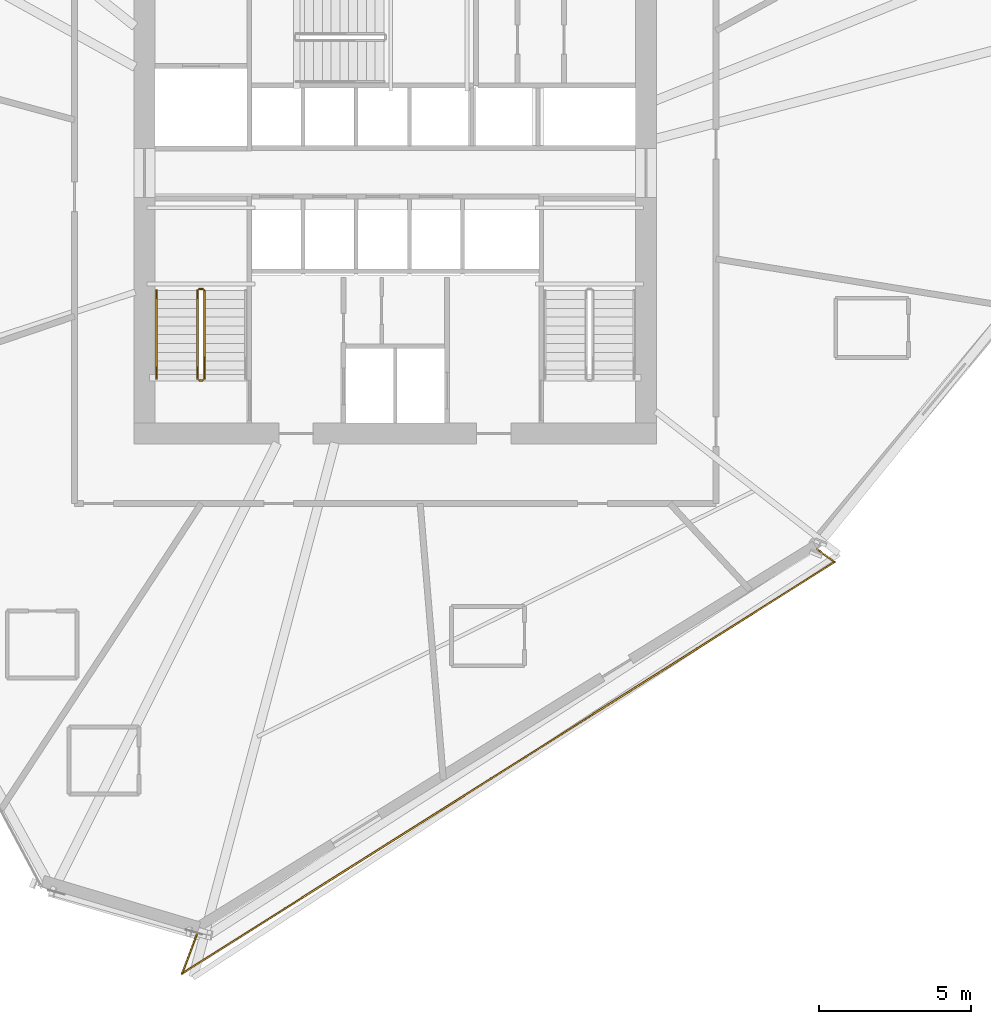
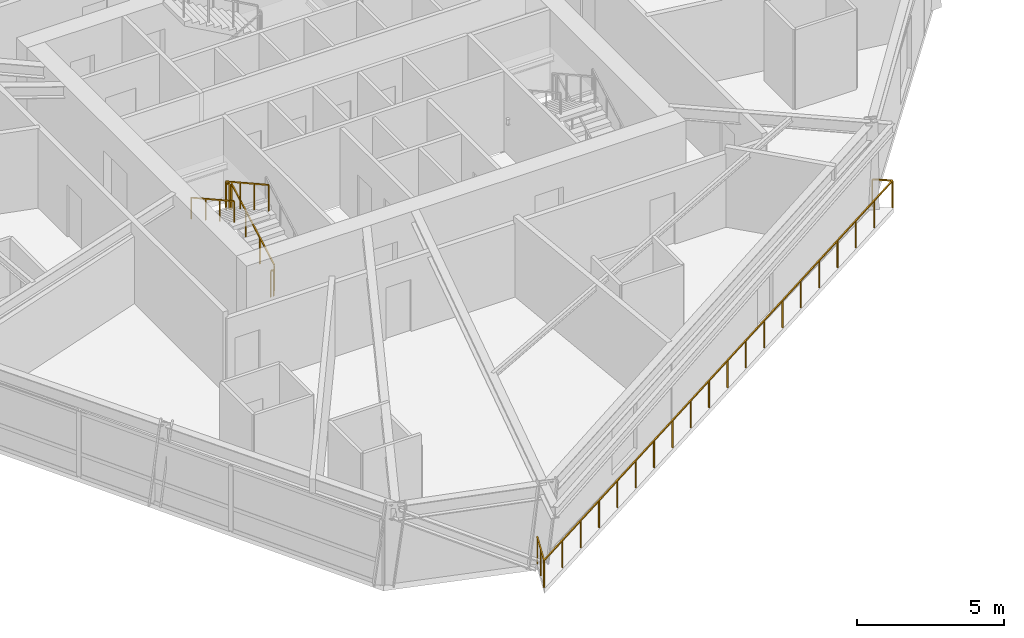
# One storey, part 18 of 21: 6 railings.
"""IFC4 building model written with IfcOpenShell, lengths in metres."""

from ifc_helpers import new_model, si_unit, direction, frame, origin, origin_2d, place, context, subcontext, project, spatial, rectangle, extrude, material, type_object, element, save


model = new_model("IFC4")

# Units and contexts
model_context = context("Model", 3, precision=1e-05, world=origin(), true_north=direction((0.0, 1.0)))
body_context = subcontext(model_context, "Body", "Model", "MODEL_VIEW")
ifc_project = project(units=[si_unit("LENGTHUNIT", "METRE"), si_unit("AREAUNIT", "SQUARE_METRE"), si_unit("VOLUMEUNIT", "CUBIC_METRE"), si_unit("PLANEANGLEUNIT", "RADIAN"), si_unit("MASSUNIT", "GRAM", prefix="KILO")], contexts=[model_context])

# Site, building, storey
site_placement = place(None, origin())
site = spatial("IfcSite", under=ifc_project, at=site_placement, CompositionType="ELEMENT")
building_placement = place(site_placement, origin())
building = spatial("IfcBuilding", under=site, at=building_placement, Name="Olszyna Solenne Hotel", CompositionType="ELEMENT")
storey_placement = place(building_placement, frame((0.0, 0.0, 105.699951171875)))
storey = spatial("IfcBuildingStorey", under=building, at=storey_placement, Name="L27", CompositionType="ELEMENT", Elevation=105.699951171875)

# Railings
ifc_material_1 = material(Name="Anodised bronze aluminium", Category="aluminium")
railing_type_1 = type_object("IfcRailingType", Name="GR-110", PredefinedType="BALUSTRADE", material=ifc_material_1)
railing_1_placement = place(storey_placement, frame((31.4912109375, 2.7177734375, 0.0)))
element("IfcRailing", 1, at=railing_1_placement, inside=storey, type_object=railing_type_1, Name="Loggia balcony balustrade guard GR-L27-LG3", PredefinedType="BALUSTRADE", context=body_context, shape_type="SweptSolid", body=[
    extrude(rectangle(XDim=0.048095703125, YDim=0.048095703125, at=origin_2d()), frame((0.0, 0.0, 1.1259765625), z_axis=(-0.354026371082, -0.935235440185, 0.0), x_axis=(0.935235440185, -0.354026371082, 0.0)), (0.0, 0.0, 1.0), 1.41845703125),
    extrude(rectangle(XDim=0.048095703125, YDim=0.048095703125, at=origin_2d()), frame((-0.502197265625, -1.32666015625, 1.1259765625), z_axis=(0.845816669562, 0.533473674599, 0.0), x_axis=(-0.533473674599, 0.845816669562, 0.0)), (0.0, 0.0, 1.0), 25.368896484375),
    extrude(rectangle(XDim=0.048095703125, YDim=0.048095703125, at=origin_2d()), frame((20.955322265625, 12.20703125, 1.1259765625), z_axis=(-0.805571512574, 0.592498555382, 0.0), x_axis=(-0.592498555382, -0.805571512574, 0.0)), (0.0, 0.0, 1.0), 0.689697265625),
    extrude(rectangle(XDim=0.0419921875, YDim=0.0419921875, at=origin_2d()), origin(), (0.0, 0.0, 1.0), 1.101806640625),
    extrude(rectangle(XDim=0.0419921875, YDim=0.0419921875, at=origin_2d()), frame((-0.2509765625, -0.663330078125, 0.0)), (0.0, 0.0, 1.0), 1.101806640625),
    extrude(rectangle(XDim=0.0419921875, YDim=0.0419921875, at=origin_2d()), frame((-0.502197265625, -1.32666015625, 0.0)), (0.0, 0.0, 1.0), 1.101806640625),
    extrude(rectangle(XDim=0.0419921875, YDim=0.0419921875, at=origin_2d()), frame((0.627197265625, -0.6142578125, 0.0)), (0.0, 0.0, 1.0), 1.101806640625),
    extrude(rectangle(XDim=0.0419921875, YDim=0.0419921875, at=origin_2d()), frame((1.756591796875, 0.097900390625, 0.0)), (0.0, 0.0, 1.0), 1.101806640625),
    extrude(rectangle(XDim=0.0419921875, YDim=0.0419921875, at=origin_2d()), frame((2.8857421875, 0.810302734375, 0.0)), (0.0, 0.0, 1.0), 1.101806640625),
    extrude(rectangle(XDim=0.0419921875, YDim=0.0419921875, at=origin_2d()), frame((4.01513671875, 1.5224609375, 0.0)), (0.0, 0.0, 1.0), 1.101806640625),
    extrude(rectangle(XDim=0.0419921875, YDim=0.0419921875, at=origin_2d()), frame((5.14453125, 2.23486328125, 0.0)), (0.0, 0.0, 1.0), 1.101806640625),
    extrude(rectangle(XDim=0.0419921875, YDim=0.0419921875, at=origin_2d()), frame((6.27392578125, 2.947021484375, 0.0)), (0.0, 0.0, 1.0), 1.101806640625),
    extrude(rectangle(XDim=0.0419921875, YDim=0.0419921875, at=origin_2d()), frame((7.4033203125, 3.659423828125, 0.0)), (0.0, 0.0, 1.0), 1.101806640625),
    extrude(rectangle(XDim=0.0419921875, YDim=0.0419921875, at=origin_2d()), frame((8.532470703125, 4.371826171875, 0.0)), (0.0, 0.0, 1.0), 1.101806640625),
    extrude(rectangle(XDim=0.0419921875, YDim=0.0419921875, at=origin_2d()), frame((9.661865234375, 5.083984375, 0.0)), (0.0, 0.0, 1.0), 1.101806640625),
    extrude(rectangle(XDim=0.0419921875, YDim=0.0419921875, at=origin_2d()), frame((10.791259765625, 5.79638671875, 0.0)), (0.0, 0.0, 1.0), 1.101806640625),
    extrude(rectangle(XDim=0.0419921875, YDim=0.0419921875, at=origin_2d()), frame((11.920654296875, 6.508544921875, 0.0)), (0.0, 0.0, 1.0), 1.101806640625),
    extrude(rectangle(XDim=0.0419921875, YDim=0.0419921875, at=origin_2d()), frame((13.0498046875, 7.220947265625, 0.0)), (0.0, 0.0, 1.0), 1.101806640625),
    extrude(rectangle(XDim=0.0419921875, YDim=0.0419921875, at=origin_2d()), frame((14.17919921875, 7.933349609375, 0.0)), (0.0, 0.0, 1.0), 1.101806640625),
    extrude(rectangle(XDim=0.0419921875, YDim=0.0419921875, at=origin_2d()), frame((15.30859375, 8.6455078125, 0.0)), (0.0, 0.0, 1.0), 1.101806640625),
    extrude(rectangle(XDim=0.0419921875, YDim=0.0419921875, at=origin_2d()), frame((16.43798828125, 9.35791015625, 0.0)), (0.0, 0.0, 1.0), 1.101806640625),
    extrude(rectangle(XDim=0.0419921875, YDim=0.0419921875, at=origin_2d()), frame((17.5673828125, 10.070068359375, 0.0)), (0.0, 0.0, 1.0), 1.101806640625),
    extrude(rectangle(XDim=0.0419921875, YDim=0.0419921875, at=origin_2d()), frame((18.696533203125, 10.782470703125, 0.0)), (0.0, 0.0, 1.0), 1.101806640625),
    extrude(rectangle(XDim=0.0419921875, YDim=0.0419921875, at=origin_2d()), frame((19.825927734375, 11.49462890625, 0.0)), (0.0, 0.0, 1.0), 1.101806640625),
    extrude(rectangle(XDim=0.0419921875, YDim=0.0419921875, at=origin_2d()), frame((20.955322265625, 12.20703125, 0.0)), (0.0, 0.0, 1.0), 1.101806640625),
    extrude(rectangle(XDim=0.0419921875, YDim=0.0419921875, at=origin_2d()), frame((20.399658203125, 12.61572265625, 0.0)), (0.0, 0.0, 1.0), 1.101806640625),
])
railing_2_placement = place(storey_placement, frame((31.719970703125, 20.949951171875, 0.161376953125)))
element("IfcRailing", 2, at=railing_2_placement, inside=storey, type_object=railing_type_1, Name="L27 ST1 stair guard 1", PredefinedType="BALUSTRADE", context=body_context, shape_type="SweptSolid", body=[
    extrude(rectangle(XDim=0.048095703125, YDim=0.048095703125, at=origin_2d()), frame((0.0, 0.0, 1.076171875), z_axis=(0.0, 0.873827439584, 0.48623616261), x_axis=(-1.0, 0.0, 0.0)), (0.0, 0.0, 1.0), 3.31884765625),
    extrude(rectangle(XDim=0.0419921875, YDim=0.0419921875, at=origin_2d()), origin(), (0.0, 0.0, 1.0), 1.052001953125),
    extrude(rectangle(XDim=0.0419921875, YDim=0.0419921875, at=origin_2d()), frame((0.0, 0.966796875, 0.537841796875)), (0.0, 0.0, 1.0), 1.052001953125),
    extrude(rectangle(XDim=0.0419921875, YDim=0.0419921875, at=origin_2d()), frame((0.0, 1.933349609375, 1.075927734375)), (0.0, 0.0, 1.0), 1.052001953125),
    extrude(rectangle(XDim=0.0419921875, YDim=0.0419921875, at=origin_2d()), frame((0.0, 2.900146484375, 1.61376953125)), (0.0, 0.0, 1.0), 1.052001953125),
])
railing_3_placement = place(storey_placement, frame((31.669921875, 23.89990234375, 1.775146484375)))
element("IfcRailing", 3, at=railing_3_placement, inside=storey, type_object=railing_type_1, Name="L27 ST1 stair guard 2", PredefinedType="BALUSTRADE", context=body_context, shape_type="SweptSolid", body=[
    extrude(rectangle(XDim=0.048095703125, YDim=0.048095703125, at=origin_2d()), frame((0.0, 0.0, 1.076171875), z_axis=(-1.0, 0.0, 0.0), x_axis=(0.0, -1.0, 0.0)), (0.0, 0.0, 1.0), 0.119873046875),
    extrude(rectangle(XDim=0.0419921875, YDim=0.0419921875, at=origin_2d()), origin(), (0.0, 0.0, 1.0), 1.052001953125),
    extrude(rectangle(XDim=0.0419921875, YDim=0.0419921875, at=origin_2d()), frame((-0.119873046875, 0.0, 0.0)), (0.0, 0.0, 1.0), 1.052001953125),
])
railing_4_placement = place(storey_placement, frame((31.5, 23.85009765625, 1.9365234375)))
element("IfcRailing", 4, at=railing_4_placement, inside=storey, type_object=railing_type_1, Name="L27 ST1 stair guard 3", PredefinedType="BALUSTRADE", context=body_context, shape_type="SweptSolid", body=[
    extrude(rectangle(XDim=0.048095703125, YDim=0.048095703125, at=origin_2d()), frame((0.0, 0.0, 1.076171875), z_axis=(0.0, -0.873858693841, 0.486179990537), x_axis=(1.0, 0.0, 0.0)), (0.0, 0.0, 1.0), 3.31884765625),
    extrude(rectangle(XDim=0.0419921875, YDim=0.0419921875, at=origin_2d()), origin(), (0.0, 0.0, 1.0), 1.052001953125),
    extrude(rectangle(XDim=0.0419921875, YDim=0.0419921875, at=origin_2d()), frame((0.0, -0.966796875, 0.537841796875)), (0.0, 0.0, 1.0), 1.052001953125),
    extrude(rectangle(XDim=0.0419921875, YDim=0.0419921875, at=origin_2d()), frame((0.0, -1.933349609375, 1.07568359375)), (0.0, 0.0, 1.0), 1.052001953125),
    extrude(rectangle(XDim=0.0419921875, YDim=0.0419921875, at=origin_2d()), frame((0.0, -2.900146484375, 1.613525390625)), (0.0, 0.0, 1.0), 1.052001953125),
])
railing_5_placement = place(storey_placement, frame((31.669921875, 20.89990234375, 0.0)))
element("IfcRailing", 5, at=railing_5_placement, inside=storey, type_object=railing_type_1, Name="L27 ST1 stair guard 4", PredefinedType="BALUSTRADE", context=body_context, shape_type="SweptSolid", body=[
    extrude(rectangle(XDim=0.048095703125, YDim=0.048095703125, at=origin_2d()), frame((0.0, 0.0, 1.076171875), z_axis=(-1.0, 0.0, 0.0), x_axis=(0.0, -1.0, 0.0)), (0.0, 0.0, 1.0), 0.119873046875),
    extrude(rectangle(XDim=0.0419921875, YDim=0.0419921875, at=origin_2d()), origin(), (0.0, 0.0, 1.0), 1.052001953125),
    extrude(rectangle(XDim=0.0419921875, YDim=0.0419921875, at=origin_2d()), frame((-0.119873046875, 0.0, 0.0)), (0.0, 0.0, 1.0), 1.052001953125),
])
ifc_material_2 = material(Name="Steel S355J2", Category="steel")
railing_type_2 = type_object("IfcRailingType", Name="HR-090", PredefinedType="HANDRAIL", material=ifc_material_2)
railing_6_placement = place(storey_placement, frame((30.14990234375, 23.85009765625, 1.9365234375)))
element("IfcRailing", 6, at=railing_6_placement, inside=storey, type_object=railing_type_2, Name="L27 ST1 stair handrail 2", PredefinedType="HANDRAIL", context=body_context, shape_type="SweptSolid", body=[
    extrude(rectangle(XDim=0.048095703125, YDim=0.048095703125, at=origin_2d()), frame((0.0, 0.0, 0.8759765625), z_axis=(0.0, -0.873858693841, 0.486179990537), x_axis=(1.0, 0.0, 0.0)), (0.0, 0.0, 1.0), 3.31884765625),
    extrude(rectangle(XDim=0.0419921875, YDim=0.0419921875, at=origin_2d()), origin(), (0.0, 0.0, 1.0), 0.851806640625),
    extrude(rectangle(XDim=0.0419921875, YDim=0.0419921875, at=origin_2d()), frame((0.0, -0.966796875, 0.537841796875)), (0.0, 0.0, 1.0), 0.851806640625),
    extrude(rectangle(XDim=0.0419921875, YDim=0.0419921875, at=origin_2d()), frame((0.0, -1.933349609375, 1.07568359375)), (0.0, 0.0, 1.0), 0.851806640625),
    extrude(rectangle(XDim=0.0419921875, YDim=0.0419921875, at=origin_2d()), frame((0.0, -2.900146484375, 1.613525390625)), (0.0, 0.0, 1.0), 0.851806640625),
])

save(model, "model.ifc")
